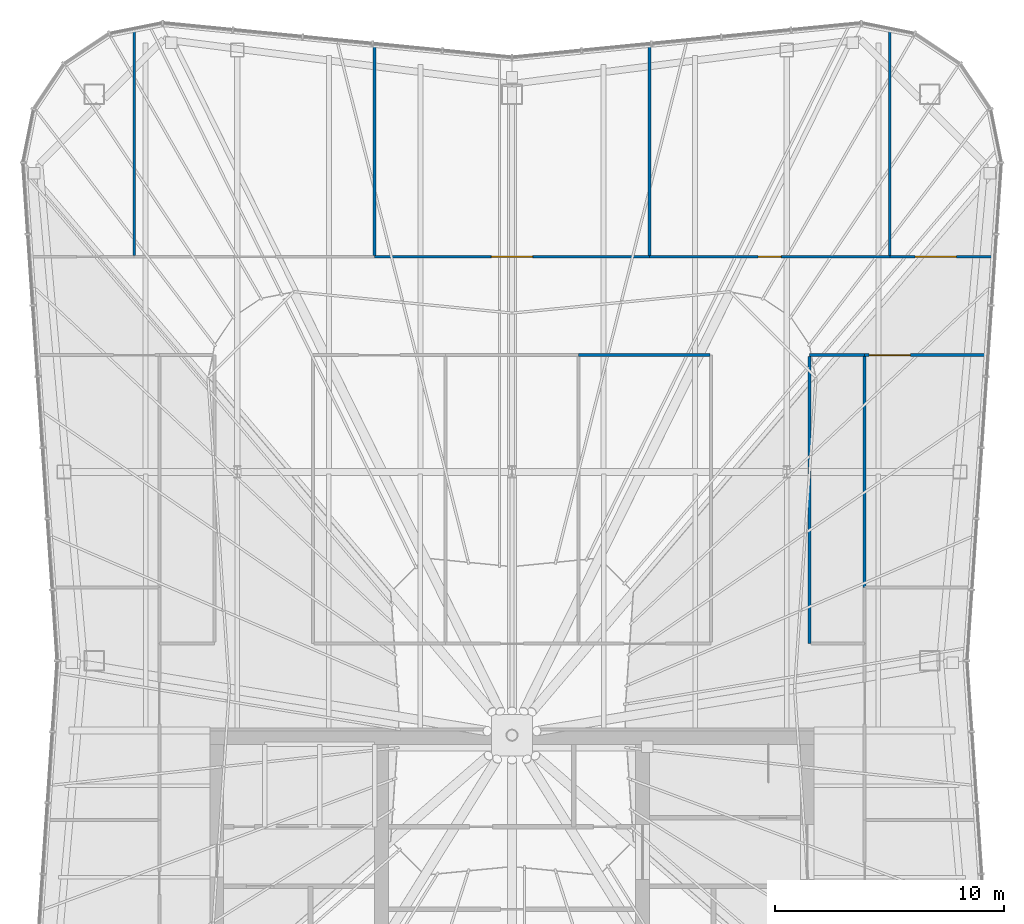
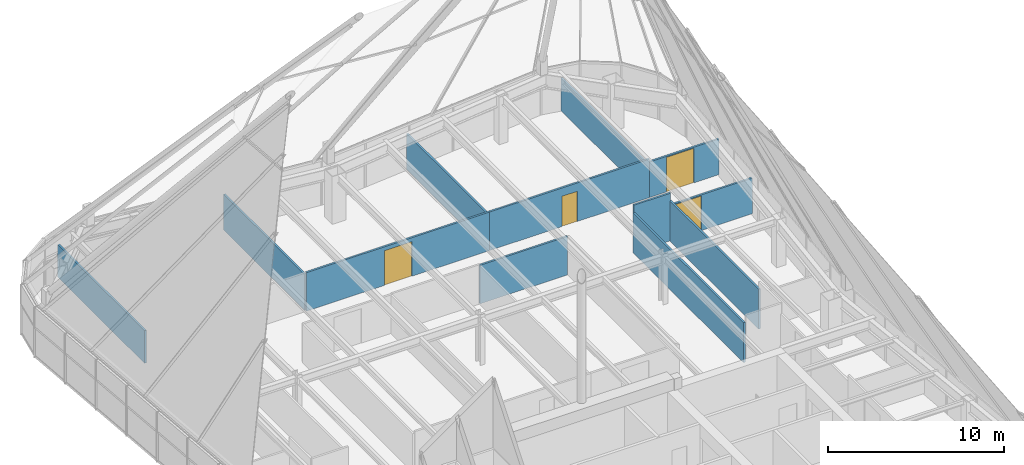
# One storey, part 26 of 28: 12 walls, 4 doors, 4 openings.
"""IFC4 building model written with IfcOpenShell, lengths in metres."""

from ifc_helpers import new_model, si_unit, direction, frame, frame_2d, origin, place, context, subcontext, project, spatial, rectangle, extrude, material, layer, layer_set, type_object, element, fill, save


model = new_model("IFC4")

# Units and contexts
model_context = context("Model", 3, precision=1e-05, world=origin(), true_north=direction((0.0, 1.0)))
body_context = subcontext(model_context, "Body", "Model", "MODEL_VIEW")
ifc_project = project(units=[si_unit("LENGTHUNIT", "METRE"), si_unit("AREAUNIT", "SQUARE_METRE"), si_unit("VOLUMEUNIT", "CUBIC_METRE"), si_unit("PLANEANGLEUNIT", "RADIAN"), si_unit("MASSUNIT", "GRAM", prefix="KILO")], contexts=[model_context])

# Site, building, storey
site_placement = place(None, origin())
site = spatial("IfcSite", under=ifc_project, at=site_placement, CompositionType="ELEMENT")
building_placement = place(site_placement, origin())
building = spatial("IfcBuilding", under=site, at=building_placement, Name="Verdant Reach Tower", CompositionType="ELEMENT")
storey_placement = place(building_placement, frame((0.0, 0.0, 368.0)))
storey = spatial("IfcBuildingStorey", under=building, at=storey_placement, Name="L83 Crown plant", CompositionType="ELEMENT", Elevation=368.0)

# Wall
ifc_material_1 = material(Name="Gypsum board on steel studs, fire rated", Category="steel")
ifc_layer = layer(ifc_material_1, 0.125)
ifc_layer_set = layer_set([ifc_layer], Name="SV-W2 Plant wall 125 EI 60")
wall_type = type_object("IfcWallType", Name="SV-W2 Plant wall 125 EI 60", PredefinedType="PARTITIONING", material=ifc_layer_set)
wall_1_placement = place(storey_placement, frame((8.637451171875, 54.60009765625, 0.0), z_axis=(0.0, 0.0, 1.0), x_axis=(-1.0, 0.0, 0.0)))
element("IfcWall", 1, at=wall_1_placement, inside=storey, type_object=wall_type, Name="Partition L83.08", PredefinedType="PARTITIONING", context=body_context, shape_type="SweptSolid", body=[
    extrude(rectangle(XDim=5.737548828125, YDim=0.125, at=frame_2d((2.86865234375, 0.0))), origin(), (0.0, 0.0, 1.0), 2.669921875),
])

# Wall, opening, door
wall_2_placement = place(storey_placement, frame((20.750732421875, 54.60009765625, 0.0), z_axis=(0.0, 0.0, 1.0), x_axis=(-1.0, 0.0, 0.0)))
wall_2 = element("IfcWall", 2, at=wall_2_placement, inside=storey, type_object=wall_type, Name="Partition L83.16", PredefinedType="PARTITIONING", context=body_context, shape_type="SweptSolid", body=[
    extrude(rectangle(XDim=5.350830078125, YDim=0.125, at=frame_2d((2.67529296875, 0.0))), origin(), (0.0, 0.0, 1.0), 2.469970703125),
])
opening_1_placement = place(wall_2_placement, frame((3.3505859375, 0.0, 0.0)))
opening_1 = element("IfcOpeningElement", 3, at=opening_1_placement, cuts=wall_2, Name="Opening SD3", PredefinedType="OPENING", context=body_context, shape_type="SweptSolid", body=[
    extrude(rectangle(XDim=1.800048828125, YDim=2.39990234375, at=frame_2d((0.89990234375, 1.199951171875))), frame((0.0, 0.072509765625, 0.0), z_axis=(0.0, -1.0, 0.0), x_axis=(1.0, 0.0, 0.0)), (0.0, 0.0, 1.0), 0.14501953125),
])
ifc_material_2 = material(Name="Steel door leaves, fire rated", Category="steel")
door_type_1 = type_object("IfcDoorType", Name="SV-D3 Equipment door 1800x2400 FD60", OperationType="DOUBLE_DOOR_SINGLE_SWING", PredefinedType="DOOR", material=ifc_material_2)
door_1_placement = place(opening_1_placement, origin())
door_1 = element("IfcDoor", 4, at=door_1_placement, inside=storey, type_object=door_type_1, Name="Door L83-011", OperationType="DOUBLE_DOOR_SINGLE_SWING", OverallHeight=2.39990234375, OverallWidth=1.800048828125, PredefinedType="DOOR", context=body_context, shape_type="SweptSolid", body=[
    extrude(rectangle(XDim=1.800048828125, YDim=2.39990234375, at=frame_2d((0.89990234375, 1.199951171875))), frame((0.0, 0.02490234375, 0.0), z_axis=(0.0, -1.0, 0.0), x_axis=(1.0, 0.0, 0.0)), (0.0, 0.0, 1.0), 0.050048828125),
])
fill(opening_1, door_1)

wall_3_placement = place(storey_placement, frame((6.0, 58.89990234375, 0.0), z_axis=(0.0, 0.0, 1.0), x_axis=(-1.0, 0.0, 0.0)))
wall_3 = element("IfcWall", 5, at=wall_3_placement, inside=storey, type_object=wall_type, Name="Partition L83.19", PredefinedType="PARTITIONING", context=body_context, shape_type="SweptSolid", body=[
    extrude(rectangle(XDim=12.0, YDim=0.125, at=frame_2d((6.0, 0.0))), origin(), (0.0, 0.0, 1.0), 2.669921875),
])
opening_2_placement = place(wall_3_placement, frame((5.10009765625, 0.0, 0.0)))
opening_2 = element("IfcOpeningElement", 6, at=opening_2_placement, cuts=wall_3, Name="Opening SD3", PredefinedType="OPENING", context=body_context, shape_type="SweptSolid", body=[
    extrude(rectangle(XDim=1.800048828125, YDim=2.39990234375, at=frame_2d((0.89990234375, 1.199951171875))), frame((0.0, 0.072509765625, 0.0), z_axis=(0.0, -1.0, 0.0), x_axis=(1.0, 0.0, 0.0)), (0.0, 0.0, 1.0), 0.14501953125),
])
door_2_placement = place(opening_2_placement, origin())
door_2 = element("IfcDoor", 7, at=door_2_placement, inside=storey, type_object=door_type_1, Name="Door L83-014", OperationType="DOUBLE_DOOR_SINGLE_SWING", OverallHeight=2.39990234375, OverallWidth=1.800048828125, PredefinedType="DOOR", context=body_context, shape_type="SweptSolid", body=[
    extrude(rectangle(XDim=1.800048828125, YDim=2.39990234375, at=frame_2d((0.89990234375, 1.199951171875))), frame((0.0, 0.02490234375, 0.0), z_axis=(0.0, -1.0, 0.0), x_axis=(1.0, 0.0, 0.0)), (0.0, 0.0, 1.0), 0.050048828125),
])
fill(opening_2, door_2)

wall_4_placement = place(storey_placement, frame((16.5, 58.89990234375, 0.0), z_axis=(0.0, 0.0, 1.0), x_axis=(-1.0, 0.0, 0.0)))
wall_4 = element("IfcWall", 8, at=wall_4_placement, inside=storey, type_object=wall_type, Name="Partition L83.20", PredefinedType="PARTITIONING", context=body_context, shape_type="SweptSolid", body=[
    extrude(rectangle(XDim=10.5, YDim=0.125, at=frame_2d((5.25, 0.0))), origin(), (0.0, 0.0, 1.0), 2.669921875),
])
opening_3_placement = place(wall_4_placement, frame((4.75, 0.0, 0.0)))
opening_3 = element("IfcOpeningElement", 9, at=opening_3_placement, cuts=wall_4, Name="Opening SD2", PredefinedType="OPENING", context=body_context, shape_type="SweptSolid", body=[
    extrude(rectangle(XDim=1.0, YDim=2.10009765625, at=frame_2d((0.5, 1.050048828125))), frame((0.0, 0.072509765625, 0.0), z_axis=(0.0, -1.0, 0.0), x_axis=(1.0, 0.0, 0.0)), (0.0, 0.0, 1.0), 0.14501953125),
])
ifc_material_3 = material(Name="Steel door leaf, fire rated", Category="steel")
door_type_2 = type_object("IfcDoorType", Name="SV-D2 Door 1000x2100 FD60", OperationType="NOTDEFINED", PredefinedType="DOOR", material=ifc_material_3)
door_3_placement = place(opening_3_placement, origin())
door_3 = element("IfcDoor", 10, at=door_3_placement, inside=storey, type_object=door_type_2, Name="Door L83-015", OperationType="SINGLE_SWING_LEFT", OverallHeight=2.10009765625, OverallWidth=1.0, PredefinedType="DOOR", context=body_context, shape_type="SweptSolid", body=[
    extrude(rectangle(XDim=1.0, YDim=2.10009765625, at=frame_2d((0.5, 1.050048828125))), frame((0.0, 0.02490234375, 0.0), z_axis=(0.0, -1.0, 0.0), x_axis=(1.0, 0.0, 0.0)), (0.0, 0.0, 1.0), 0.050048828125),
])
fill(opening_3, door_3)

wall_5_placement = place(storey_placement, frame((21.047119140625, 58.89990234375, 0.0), z_axis=(0.0, 0.0, 1.0), x_axis=(-1.0, 0.0, 0.0)))
wall_5 = element("IfcWall", 11, at=wall_5_placement, inside=storey, type_object=wall_type, Name="Partition L83.21", PredefinedType="PARTITIONING", context=body_context, shape_type="SweptSolid", body=[
    extrude(rectangle(XDim=4.547119140625, YDim=0.125, at=frame_2d((2.2734375, 0.0))), origin(), (0.0, 0.0, 1.0), 2.469970703125),
])
opening_4_placement = place(wall_5_placement, frame((1.63916015625, 0.0, 0.0)))
opening_4 = element("IfcOpeningElement", 12, at=opening_4_placement, cuts=wall_5, Name="Opening SD3", PredefinedType="OPENING", context=body_context, shape_type="SweptSolid", body=[
    extrude(rectangle(XDim=1.800048828125, YDim=2.39990234375, at=frame_2d((0.89990234375, 1.199951171875))), frame((0.0, 0.072509765625, 0.0), z_axis=(0.0, -1.0, 0.0), x_axis=(1.0, 0.0, 0.0)), (0.0, 0.0, 1.0), 0.14501953125),
])
door_4_placement = place(opening_4_placement, origin())
door_4 = element("IfcDoor", 13, at=door_4_placement, inside=storey, type_object=door_type_1, Name="Door L83-016", OperationType="DOUBLE_DOOR_SINGLE_SWING", OverallHeight=2.39990234375, OverallWidth=1.800048828125, PredefinedType="DOOR", context=body_context, shape_type="SweptSolid", body=[
    extrude(rectangle(XDim=1.800048828125, YDim=2.39990234375, at=frame_2d((0.89990234375, 1.199951171875))), frame((0.0, 0.02490234375, 0.0), z_axis=(0.0, -1.0, 0.0), x_axis=(1.0, 0.0, 0.0)), (0.0, 0.0, 1.0), 0.050048828125),
])
fill(opening_4, door_4)

# Walls
wall_6_placement = place(storey_placement, frame((-16.5, 68.831298828125, 0.0), z_axis=(0.0, 0.0, 1.0), x_axis=(0.0, -1.0, 0.0)))
element("IfcWall", 14, at=wall_6_placement, inside=storey, type_object=wall_type, Name="Partition L83.30", PredefinedType="PARTITIONING", context=body_context, shape_type="SweptSolid", body=[
    extrude(rectangle(XDim=9.868896484375, YDim=0.125, at=frame_2d((4.9345703125, 0.0))), origin(), (0.0, 0.0, 1.0), 2.261962890625),
])
for number, where, z_axis, x_axis, name in (
    (15, (-6.0, 68.170166015625, 0.0), (0.0, 0.0, 1.0), (0.0, -1.0, 0.0), "Partition L83.31"),
    (16, (6.0, 68.170166015625, 0.0), (0.0, 0.0, 1.0), (0.0, -1.0, 0.0), "Partition L83.32"),
):
    element("IfcWall", number, at=place(storey_placement, frame(where, z_axis=z_axis, x_axis=x_axis)), inside=storey, type_object=wall_type, Name=name, PredefinedType="PARTITIONING", context=body_context, shape_type="SweptSolid", body=[
        extrude(rectangle(XDim=9.207763671875, YDim=0.125, at=frame_2d((4.60400390625, 0.0))), origin(), (0.0, 0.0, 1.0), 2.469970703125),
    ])
wall_7_placement = place(storey_placement, frame((16.5, 68.831298828125, 0.0), z_axis=(0.0, 0.0, 1.0), x_axis=(0.0, -1.0, 0.0)))
element("IfcWall", 17, at=wall_7_placement, inside=storey, type_object=wall_type, Name="Partition L83.33", PredefinedType="PARTITIONING", context=body_context, shape_type="SweptSolid", body=[
    extrude(rectangle(XDim=9.868896484375, YDim=0.125, at=frame_2d((4.9345703125, 0.0))), origin(), (0.0, 0.0, 1.0), 2.261962890625),
])
wall_8_placement = place(storey_placement, frame((15.39794921875, 54.60009765625, 0.0), z_axis=(0.0, 0.0, 1.0), x_axis=(-1.0, 0.0, 0.0)))
element("IfcWall", 18, at=wall_8_placement, inside=storey, type_object=wall_type, Name="Partition L83.39", PredefinedType="PARTITIONING", context=body_context, shape_type="SweptSolid", body=[
    extrude(rectangle(XDim=2.39794921875, YDim=0.125, at=frame_2d((1.198974609375, 0.0))), origin(), (0.0, 0.0, 1.0), 3.300048828125),
])
wall_9_placement = place(storey_placement, frame((13.0, 54.53759765625, 0.0), z_axis=(0.0, 0.0, 1.0), x_axis=(0.0, -1.0, 0.0)))
element("IfcWall", 19, at=wall_9_placement, inside=storey, type_object=wall_type, Name="Partition L83.40", PredefinedType="PARTITIONING", context=body_context, shape_type="SweptSolid", body=[
    extrude(rectangle(XDim=12.53759765625, YDim=0.125, at=frame_2d((6.268798828125, 0.0))), origin(), (0.0, 0.0, 1.0), 2.780029296875),
])
wall_10_placement = place(storey_placement, frame((15.39990234375, 44.451904296875, 0.0), z_axis=(0.0, 0.0, 1.0), x_axis=(0.0, 1.0, 0.0)))
element("IfcWall", 20, at=wall_10_placement, inside=storey, type_object=wall_type, Name="Partition L83.45", PredefinedType="PARTITIONING", context=body_context, shape_type="SweptSolid", body=[
    extrude(rectangle(XDim=10.14599609375, YDim=0.125, at=frame_2d((5.072998046875, 0.0))), origin(), (0.0, 0.0, 1.0), 2.780029296875),
])

save(model, "model.ifc")
